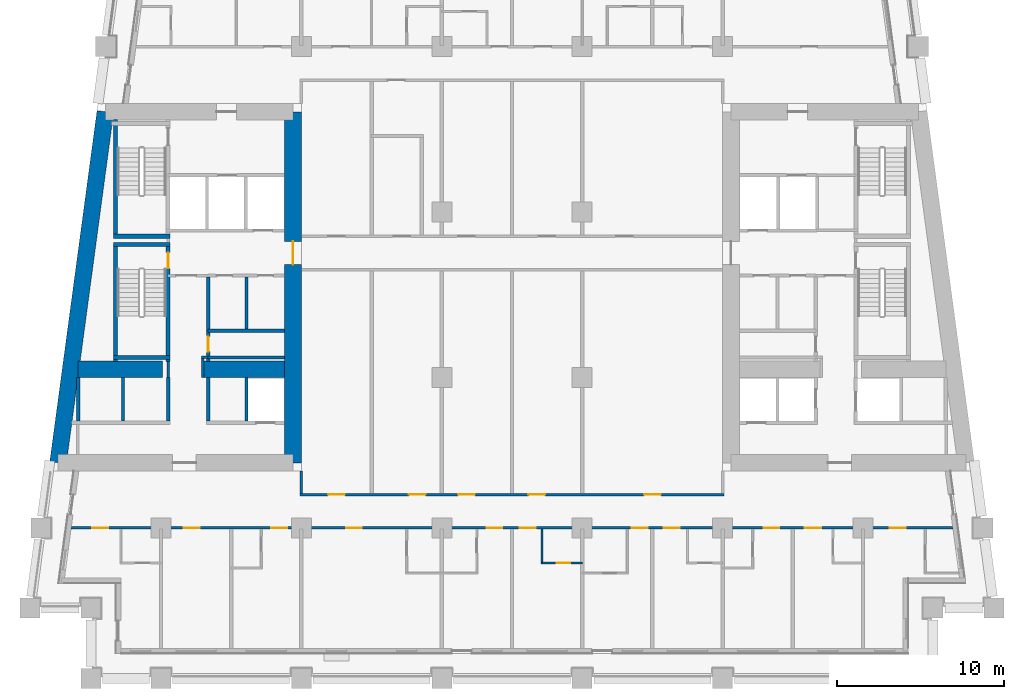
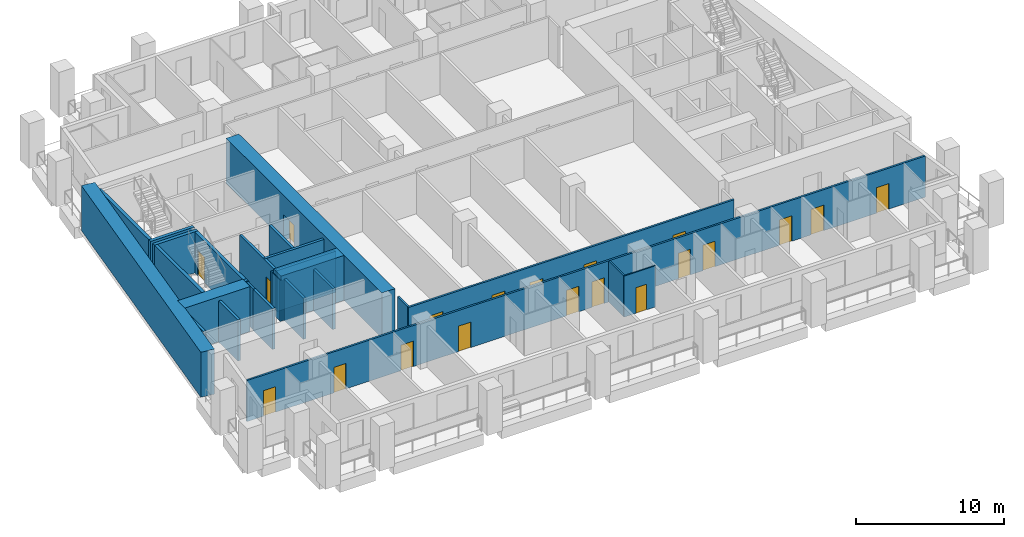
# One storey, part 3 of 13: 27 walls, 20 doors, 20 openings.
"""IFC4 building model written with IfcOpenShell, lengths in metres."""

import ifcopenshell
import ifcopenshell.guid

model = None  # the IFC model being written
_history = None  # IfcOwnerHistory: only IFC2X3 demands one
_inside = {}  # id of a spatial element -> (the spatial element, [elements in it])
_under = {}  # id of a project, library or spatial element -> (it, [spatial elements below it])
_declared = {}  # id of a project -> (the project, [libraries it declares])
_typed = {}  # id of a type object -> (the type object, [elements of that type])
_made_of = {}  # id of a material, layer set ... -> (it, [elements and type objects made of it])


def new_model(schema):
    """Start an empty IFC model of exactly this schema.

    Asked for "IFC4X3", IfcOpenShell would pick the latest addendum, in which some entities
    have other attributes; the version numbers below select the first issue.
    IFC2X3 requires an IfcOwnerHistory on every rooted entity: one is made here for all.
    """
    global model, _history
    if schema == "IFC4X3":
        model = ifcopenshell.file(schema_version=(4, 3, 0, 0))
    else:
        model = ifcopenshell.file(schema=schema)
    _inside.clear()
    _under.clear()
    _declared.clear()
    _typed.clear()
    _made_of.clear()
    _history = None
    if model.schema == "IFC2X3":
        org = make("IfcOrganization", Name="unknown")
        user = make(
            "IfcPersonAndOrganization",
            ThePerson=make("IfcPerson", FamilyName="unknown"),
            TheOrganization=org,
        )
        app = make(
            "IfcApplication",
            ApplicationDeveloper=org,
            Version="unknown",
            ApplicationFullName="unknown",
            ApplicationIdentifier="unknown",
        )
        _history = make(
            "IfcOwnerHistory",
            OwningUser=user,
            OwningApplication=app,
            ChangeAction="ADDED",
            CreationDate=0,
        )
    return model


def make(cls, **values):
    """One entity of the class cls with the attributes given. An attribute that is None is left unset."""
    return model.create_entity(
        cls, **{name: value for name, value in values.items() if value is not None}
    )


def rooted(cls, **values):
    """An entity with a GlobalId (a new one), such as an element, a storey or a relation."""
    return make(cls, GlobalId=ifcopenshell.guid.new(), OwnerHistory=_history, **values)


def si_unit(unit_type, name, prefix=None):
    """IfcSIUnit, for example si_unit("LENGTHUNIT", "METRE", prefix="MILLI")."""
    return make("IfcSIUnit", UnitType=unit_type, Prefix=prefix, Name=name)


def assignment(units):
    """IfcUnitAssignment: the units of a project."""
    return None if units is None else make("IfcUnitAssignment", Units=units)


def point(xyz):
    """IfcCartesianPoint."""
    return None if xyz is None else make("IfcCartesianPoint", Coordinates=xyz)


def direction(xyz):
    """IfcDirection."""
    return None if xyz is None else make("IfcDirection", DirectionRatios=xyz)


def frame(location, z_axis=None, x_axis=None):
    """IfcAxis2Placement3D, a coordinate frame: its origin and axes. An axis left out is left unset."""
    return make(
        "IfcAxis2Placement3D",
        Location=point(location),
        Axis=direction(z_axis),
        RefDirection=direction(x_axis),
    )


def frame_2d(location, x_axis=None):
    """IfcAxis2Placement2D, a coordinate frame in the plane: its origin and x axis."""
    return make(
        "IfcAxis2Placement2D", Location=point(location), RefDirection=direction(x_axis)
    )


def origin():
    """The frame at (0, 0, 0) with its axes left unset."""
    return frame((0.0, 0.0, 0.0))


def place(relative_to, where):
    """IfcLocalPlacement: puts the frame where relative to a parent placement (None: the world)."""
    return make(
        "IfcLocalPlacement", PlacementRelTo=relative_to, RelativePlacement=where
    )


def context(
    kind, dimensions, precision=None, world=None, true_north=None, identifier=None
):
    """IfcGeometricRepresentationContext, for example the 3D "Model" context."""
    return make(
        "IfcGeometricRepresentationContext",
        ContextIdentifier=identifier,
        ContextType=kind,
        CoordinateSpaceDimension=dimensions,
        Precision=precision,
        WorldCoordinateSystem=world,
        TrueNorth=true_north,
    )


def subcontext(parent, identifier, kind, view, scale=None):
    """IfcGeometricRepresentationSubContext, for example "Body" below "Model"."""
    return make(
        "IfcGeometricRepresentationSubContext",
        ContextIdentifier=identifier,
        ContextType=kind,
        ParentContext=parent,
        TargetScale=scale,
        TargetView=view,
    )


def project(units=None, contexts=None):
    """IfcProject with its units and contexts."""
    return rooted(
        "IfcProject",
        Name="project",
        RepresentationContexts=contexts,
        UnitsInContext=assignment(units),
    )


def spatial(cls, under=None, at=None, **own):
    """A site, building, storey or space (cls), placed at a placement, below another one or the project."""
    s = rooted(cls, ObjectPlacement=at, **own)
    if under is not None:
        _under.setdefault(under.id(), (under, []))[1].append(s)
    return s


def profile(cls, at=None, kind="AREA", **sizes):
    """A parametric profile (cls). Its sizes go by their IFC names, for example OverallWidth=200.0."""
    return make(cls, ProfileType=kind, Position=at, **sizes)


def rectangle(**sizes):
    """IfcRectangleProfileDef."""
    return profile("IfcRectangleProfileDef", **sizes)


def extrude(swept, where, along, depth):
    """IfcExtrudedAreaSolid: the profile swept, set in the frame where, extruded along a direction by depth."""
    return make(
        "IfcExtrudedAreaSolid",
        SweptArea=swept,
        Position=where,
        ExtrudedDirection=direction(along),
        Depth=depth,
    )


def shape(context_of_items, identifier, shape_type, items):
    """IfcShapeRepresentation: the items that make up one representation, for example the "Body"."""
    return make(
        "IfcShapeRepresentation",
        ContextOfItems=context_of_items,
        RepresentationIdentifier=identifier,
        RepresentationType=shape_type,
        Items=items,
    )


def material(Name=None, Category=None):
    """IfcMaterial."""
    return make("IfcMaterial", Name=Name, Category=Category)


def layer(
    of_material, thickness, ventilated=None, Name=None, Category=None, Priority=None
):
    """IfcMaterialLayer: one layer of a wall or slab, of a material (None: an air gap)."""
    return make(
        "IfcMaterialLayer",
        Material=of_material,
        LayerThickness=thickness,
        IsVentilated=ventilated,
        Name=Name,
        Category=Category,
        Priority=Priority,
    )


def layer_set(layers, Name=None):
    """IfcMaterialLayerSet."""
    return make("IfcMaterialLayerSet", MaterialLayers=layers, LayerSetName=Name)


def made_of(thing, what):
    """Note that an element or type object is made of a material, layer set ...; save() writes the relation."""
    if what is not None:
        _made_of.setdefault(what.id(), (what, []))[1].append(thing)
    return thing


def type_object(cls, material=None, **own):
    """A type object (cls), such as IfcWallType, which elements share."""
    return made_of(rooted(cls, **own), material)


def element(
    cls,
    number,
    at=None,
    inside=None,
    cuts=None,
    type_object=None,
    material=None,
    context=None,
    identifier="Body",
    shape_type=None,
    held_by="IfcProductDefinitionShape",
    body=None,
    shapes=None,
    **own,
):
    """One element of the class cls, such as IfcWall. Its Tag is "e" and its number.

    at: its placement. inside: the storey or other place that contains it. cuts: it is an
    opening in that element (IfcRelVoidsElement). A single representation is given by context,
    identifier, shape_type and body (its items); several are given by shapes. held_by: the class
    of the entity that holds the representations. save() writes the other relations.
    """
    e = rooted(cls, Tag="e%d" % number, ObjectPlacement=at, **own)
    if body is not None:
        shapes = [shape(context, identifier, shape_type, body)]
    if shapes is not None:
        e.Representation = make(held_by, Representations=shapes)
    if inside is not None:
        _inside.setdefault(inside.id(), (inside, []))[1].append(e)
    if cuts is not None:
        rooted(
            "IfcRelVoidsElement", RelatingBuildingElement=cuts, RelatedOpeningElement=e
        )
    if type_object is not None:
        _typed.setdefault(type_object.id(), (type_object, []))[1].append(e)
    return made_of(e, material)


def fill(opening, filler):
    """IfcRelFillsElement: the door or window that sits in an opening."""
    return rooted(
        "IfcRelFillsElement",
        RelatingOpeningElement=opening,
        RelatedBuildingElement=filler,
    )


def aggregate(whole, parts):
    """IfcRelAggregates: a whole, such as a stair, and the parts it consists of."""
    return rooted("IfcRelAggregates", RelatingObject=whole, RelatedObjects=parts)


def save(model, path):
    """Write the relations noted so far, then the file.

    IfcRelAggregates (storeys below a building ...), IfcRelContainedInSpatialStructure (elements
    in a storey), IfcRelDefinesByType, IfcRelAssociatesMaterial and IfcRelDeclares: one each for
    every whole, place, type object, material and project.
    """
    for whole, parts in _under.values():
        aggregate(whole, parts)
    for where, things in _inside.values():
        rooted(
            "IfcRelContainedInSpatialStructure",
            RelatedElements=things,
            RelatingStructure=where,
        )
    for kind, things in _typed.values():
        rooted("IfcRelDefinesByType", RelatedObjects=things, RelatingType=kind)
    for what, things in _made_of.values():
        rooted("IfcRelAssociatesMaterial", RelatedObjects=things, RelatingMaterial=what)
    for by, libraries in _declared.values():
        rooted("IfcRelDeclares", RelatingContext=by, RelatedDefinitions=libraries)
    model.write(path)


model = new_model("IFC4")

# Units and contexts
model_context = context("Model", 3, precision=1e-05, world=origin(), true_north=direction((0.0, 1.0)))
body_context = subcontext(model_context, "Body", "Model", "MODEL_VIEW")
ifc_project = project(units=[si_unit("LENGTHUNIT", "METRE"), si_unit("AREAUNIT", "SQUARE_METRE"), si_unit("VOLUMEUNIT", "CUBIC_METRE"), si_unit("PLANEANGLEUNIT", "RADIAN"), si_unit("MASSUNIT", "GRAM", prefix="KILO")], contexts=[model_context])

# Site, building, storey
site_placement = place(None, origin())
site = spatial("IfcSite", under=ifc_project, at=site_placement, CompositionType="ELEMENT")
building_placement = place(site_placement, origin())
building = spatial("IfcBuilding", under=site, at=building_placement, Name="Candeia Pilgrim Tower and Theatre", CompositionType="ELEMENT")
storey_placement = place(building_placement, frame((0.0, 0.0, 91.0)))
storey = spatial("IfcBuildingStorey", under=building, at=storey_placement, Name="L20", CompositionType="ELEMENT", Elevation=91.0)

# Wall, opening, door
ifc_material_1 = material(Name="Concrete C70/85", Category="concrete")
ifc_layer_1 = layer(ifc_material_1, 1.0)
ifc_layer_set_1 = layer_set([ifc_layer_1], Name="Core wall 1000 C70/85")
wall_type_1 = type_object("IfcWallType", Name="Core wall 1000 C70/85", PredefinedType="SHEAR", material=ifc_layer_set_1)
wall_1_placement = place(storey_placement, frame((100.300048828125, 131.89990234375, 0.0), z_axis=(0.0, 0.0, 1.0), x_axis=(0.0, -1.0, 0.0)))
wall_1 = element("IfcWall", 1, at=wall_1_placement, inside=storey, type_object=wall_type_1, Name="Core wall W2", PredefinedType="SHEAR", context=body_context, shape_type="SweptSolid", body=[
    extrude(rectangle(XDim=21.0, YDim=1.0, at=frame_2d((10.5, 0.0))), origin(), (0.0, 0.0, 1.0), 3.699951171875),
])
opening_1_placement = place(wall_1_placement, frame((7.75, 0.0, 0.0)))
opening_1 = element("IfcOpeningElement", 2, at=opening_1_placement, cuts=wall_1, Name="Opening L20-D061", PredefinedType="OPENING", context=body_context, shape_type="SweptSolid", body=[
    extrude(rectangle(XDim=1.39990234375, YDim=2.10009765625, at=frame_2d((0.699951171875, 1.050048828125))), frame((0.0, 0.510009765625, 0.0), z_axis=(0.0, -1.0, 0.0), x_axis=(1.0, 0.0, 0.0)), (0.0, 0.0, 1.0), 1.02001953125),
])
ifc_material_2 = material(Name="Steel fire door set", Category="steel")
door_type_1 = type_object("IfcDoorType", Name="D-1400-FD60", OperationType="NOTDEFINED", PredefinedType="DOOR", material=ifc_material_2)
door_1_placement = place(opening_1_placement, origin())
door_1 = element("IfcDoor", 3, at=door_1_placement, inside=storey, type_object=door_type_1, Name="Door L20-D061", OperationType="SINGLE_SWING_LEFT", OverallHeight=2.10009765625, OverallWidth=1.39990234375, PredefinedType="DOOR", context=body_context, shape_type="SweptSolid", body=[
    extrude(rectangle(XDim=1.39990234375, YDim=2.10009765625, at=frame_2d((0.699951171875, 1.050048828125))), frame((0.0, 0.02490234375, 0.0), z_axis=(0.0, -1.0, 0.0), x_axis=(1.0, 0.0, 0.0)), (0.0, 0.0, 1.0), 0.050048828125),
])
fill(opening_1, door_1)

# Walls
wall_2_placement = place(storey_placement, frame((86.240966796875, 110.89990234375, 0.0), z_axis=(0.0, 0.0, 1.0), x_axis=(0.133411141623, 0.991060778808, 0.0)))
element("IfcWall", 4, at=wall_2_placement, inside=storey, type_object=wall_type_1, Name="Core wall W4", PredefinedType="SHEAR", context=body_context, shape_type="SweptSolid", body=[
    extrude(rectangle(XDim=21.189453125, YDim=1.0, at=frame_2d((10.5947265625, 0.0))), origin(), (0.0, 0.0, 1.0), 3.699951171875),
])
wall_3_placement = place(storey_placement, frame((87.423095703125, 116.5, 0.0), z_axis=(0.0, 0.0, 1.0), x_axis=(1.0, 0.0, 0.0)))
element("IfcWall", 5, at=wall_3_placement, inside=storey, type_object=wall_type_1, Name="Core wall W5", PredefinedType="SHEAR", context=body_context, shape_type="SweptSolid", body=[
    extrude(rectangle(XDim=5.076904296875, YDim=1.0, at=frame_2d((2.53857421875, 0.0))), origin(), (0.0, 0.0, 1.0), 3.699951171875),
])
wall_4_placement = place(storey_placement, frame((94.89990234375, 116.5, 0.0), z_axis=(0.0, 0.0, 1.0), x_axis=(1.0, 0.0, 0.0)))
element("IfcWall", 6, at=wall_4_placement, inside=storey, type_object=wall_type_1, Name="Core wall W6", PredefinedType="SHEAR", context=body_context, shape_type="SweptSolid", body=[
    extrude(rectangle(XDim=4.900146484375, YDim=1.0, at=frame_2d((2.4501953125, 0.0))), origin(), (0.0, 0.0, 1.0), 3.699951171875),
])

# Wall, opening, door
ifc_material_3 = material(Name="Gypsum board partition on steel studs", Category="steel")
ifc_layer_2 = layer(ifc_material_3, 0.10009765625)
ifc_layer_set_2 = layer_set([ifc_layer_2], Name="PW-100 room partition")
wall_type_2 = type_object("IfcWallType", Name="PW-100 room partition", PredefinedType="PARTITIONING", material=ifc_layer_set_2)
wall_5_placement = place(storey_placement, frame((115.14990234375, 104.89990234375, 0.0), z_axis=(0.0, 0.0, 1.0), x_axis=(1.0, 0.0, 0.0)))
wall_5 = element("IfcWall", 7, at=wall_5_placement, inside=storey, type_object=wall_type_2, Name="Room partition L20-007", PredefinedType="PARTITIONING", context=body_context, shape_type="SweptSolid", body=[
    extrude(rectangle(XDim=2.4501953125, YDim=0.10009765625, at=frame_2d((1.22509765625, 0.0))), origin(), (0.0, 0.0, 1.0), 3.3798828125),
])
opening_2_placement = place(wall_5_placement, frame((0.93994140625, 0.0, 0.0)))
opening_2 = element("IfcOpeningElement", 8, at=opening_2_placement, cuts=wall_5, Name="Opening L20-D023", PredefinedType="OPENING", context=body_context, shape_type="SweptSolid", body=[
    extrude(rectangle(XDim=0.800048828125, YDim=2.10009765625, at=frame_2d((0.39990234375, 1.050048828125))), frame((0.0, 0.06005859375, 0.0), z_axis=(0.0, -1.0, 0.0), x_axis=(1.0, 0.0, 0.0)), (0.0, 0.0, 1.0), 0.1201171875),
])
ifc_material_4 = material(Name="Timber door leaf", Category="wood")
door_type_2 = type_object("IfcDoorType", Name="D-800", OperationType="NOTDEFINED", PredefinedType="DOOR", material=ifc_material_4)
door_2_placement = place(opening_2_placement, origin())
door_2 = element("IfcDoor", 9, at=door_2_placement, inside=storey, type_object=door_type_2, Name="Door L20-D023", OperationType="SINGLE_SWING_LEFT", OverallHeight=2.10009765625, OverallWidth=0.800048828125, PredefinedType="DOOR", context=body_context, shape_type="SweptSolid", body=[
    extrude(rectangle(XDim=0.800048828125, YDim=2.10009765625, at=frame_2d((0.39990234375, 1.050048828125))), frame((0.0, 0.02490234375, 0.0), z_axis=(0.0, -1.0, 0.0), x_axis=(1.0, 0.0, 0.0)), (0.0, 0.0, 1.0), 0.050048828125),
])
fill(opening_2, door_2)

# Walls
wall_6_placement = place(storey_placement, frame((115.199951171875, 104.949951171875, 0.0), z_axis=(0.0, 0.0, 1.0), x_axis=(0.0, 1.0, 0.0)))
element("IfcWall", 10, at=wall_6_placement, inside=storey, type_object=wall_type_2, Name="Room partition L20-092", PredefinedType="PARTITIONING", context=body_context, shape_type="SweptSolid", body=[
    extrude(rectangle(XDim=1.97509765625, YDim=0.10009765625, at=frame_2d((0.987548828125, 0.0))), origin(), (0.0, 0.0, 1.0), 3.3798828125),
])
ifc_layer_3 = layer(ifc_material_3, 0.14990234375)
ifc_layer_set_3 = layer_set([ifc_layer_3], Name="PW-150 lobby wall")
wall_type_3 = type_object("IfcWallType", Name="PW-150 lobby wall", PredefinedType="PARTITIONING", material=ifc_layer_set_3)
wall_7_placement = place(storey_placement, frame((94.824951171875, 117.199951171875, 0.0), z_axis=(0.0, 0.0, 1.0), x_axis=(1.0, 0.0, 0.0)))
element("IfcWall", 11, at=wall_7_placement, inside=storey, type_object=wall_type_3, Name="Lobby wall L20-018", PredefinedType="PARTITIONING", context=body_context, shape_type="SweptSolid", body=[
    extrude(rectangle(XDim=0.402099609375, YDim=0.14990234375, at=frame_2d((0.201171875, 0.0))), origin(), (0.0, 0.0, 1.0), 3.3798828125),
])
wall_8_placement = place(storey_placement, frame((92.826904296875, 116.0, 0.0), z_axis=(0.0, 0.0, 1.0), x_axis=(0.0, 1.0, 0.0)))
element("IfcWall", 12, at=wall_8_placement, inside=storey, type_object=wall_type_3, Name="Lobby wall L20-057", PredefinedType="PARTITIONING", context=body_context, shape_type="SweptSolid", body=[
    extrude(rectangle(XDim=0.969970703125, YDim=0.14990234375, at=frame_2d((0.48486328125, 0.0))), origin(), (0.0, 0.0, 1.0), 3.3798828125),
])
wall_9_placement = place(storey_placement, frame((94.89990234375, 116.0, 0.0), z_axis=(0.0, 0.0, 1.0), x_axis=(0.0, 1.0, 0.0)))
element("IfcWall", 13, at=wall_9_placement, inside=storey, type_object=wall_type_3, Name="Lobby wall L20-062", PredefinedType="PARTITIONING", context=body_context, shape_type="SweptSolid", body=[
    extrude(rectangle(XDim=1.125, YDim=0.14990234375, at=frame_2d((0.5625, 0.0))), origin(), (0.0, 0.0, 1.0), 3.3798828125),
])

# Wall, openings, doors
ifc_layer_4 = layer(ifc_material_3, 0.14990234375)
ifc_layer_set_4 = layer_set([ifc_layer_4], Name="PW-150 unit wall")
wall_type_4 = type_object("IfcWallType", Name="PW-150 unit wall", PredefinedType="PARTITIONING", material=ifc_layer_set_4)
wall_10_placement = place(storey_placement, frame((87.017578125, 107.0, 0.0), z_axis=(0.0, 0.0, 1.0), x_axis=(1.0, 0.0, 0.0)))
wall_10 = element("IfcWall", 14, at=wall_10_placement, inside=storey, type_object=wall_type_4, Name="Unit wall L20-010", PredefinedType="PARTITIONING", context=body_context, shape_type="SweptSolid", body=[
    extrude(rectangle(XDim=52.7646484375, YDim=0.14990234375, at=frame_2d((26.38232421875, 0.0))), origin(), (0.0, 0.0, 1.0), 3.3798828125),
])
opening_3_placement = place(wall_10_placement, frame((1.2763671875, 0.0, 0.0)))
opening_3 = element("IfcOpeningElement", 15, at=opening_3_placement, cuts=wall_10, Name="Opening L20-D013", PredefinedType="OPENING", context=body_context, shape_type="SweptSolid", body=[
    extrude(rectangle(XDim=0.949951171875, YDim=2.10009765625, at=frame_2d((0.47509765625, 1.050048828125))), frame((0.0, 0.0849609375, 0.0), z_axis=(0.0, -1.0, 0.0), x_axis=(1.0, 0.0, 0.0)), (0.0, 0.0, 1.0), 0.169921875),
])
opening_4_placement = place(wall_10_placement, frame((6.752197265625, 0.0, 0.0)))
opening_4 = element("IfcOpeningElement", 16, at=opening_4_placement, cuts=wall_10, Name="Opening L20-D015", PredefinedType="OPENING", context=body_context, shape_type="SweptSolid", body=[
    extrude(rectangle(XDim=0.949951171875, YDim=2.10009765625, at=frame_2d((0.47509765625, 1.050048828125))), frame((0.0, 0.0849609375, 0.0), z_axis=(0.0, -1.0, 0.0), x_axis=(1.0, 0.0, 0.0)), (0.0, 0.0, 1.0), 0.169921875),
])
opening_5_placement = place(wall_10_placement, frame((11.982421875, 0.0, 0.0)))
opening_5 = element("IfcOpeningElement", 17, at=opening_5_placement, cuts=wall_10, Name="Opening L20-D016", PredefinedType="OPENING", context=body_context, shape_type="SweptSolid", body=[
    extrude(rectangle(XDim=0.949951171875, YDim=2.10009765625, at=frame_2d((0.47509765625, 1.050048828125))), frame((0.0, 0.0849609375, 0.0), z_axis=(0.0, -1.0, 0.0), x_axis=(1.0, 0.0, 0.0)), (0.0, 0.0, 1.0), 0.169921875),
])
opening_6_placement = place(wall_10_placement, frame((16.457275390625, 0.0, 0.0)))
opening_6 = element("IfcOpeningElement", 18, at=opening_6_placement, cuts=wall_10, Name="Opening L20-D018", PredefinedType="OPENING", context=body_context, shape_type="SweptSolid", body=[
    extrude(rectangle(XDim=0.949951171875, YDim=2.10009765625, at=frame_2d((0.47509765625, 1.050048828125))), frame((0.0, 0.0849609375, 0.0), z_axis=(0.0, -1.0, 0.0), x_axis=(1.0, 0.0, 0.0)), (0.0, 0.0, 1.0), 0.169921875),
])
opening_7_placement = place(wall_10_placement, frame((24.857421875, 0.0, 0.0)))
opening_7 = element("IfcOpeningElement", 19, at=opening_7_placement, cuts=wall_10, Name="Opening L20-D020", PredefinedType="OPENING", context=body_context, shape_type="SweptSolid", body=[
    extrude(rectangle(XDim=0.949951171875, YDim=2.10009765625, at=frame_2d((0.47509765625, 1.050048828125))), frame((0.0, 0.0849609375, 0.0), z_axis=(0.0, -1.0, 0.0), x_axis=(1.0, 0.0, 0.0)), (0.0, 0.0, 1.0), 0.169921875),
])
opening_8_placement = place(wall_10_placement, frame((26.84521484375, 0.0, 0.0)))
opening_8 = element("IfcOpeningElement", 20, at=opening_8_placement, cuts=wall_10, Name="Opening L20-D022", PredefinedType="OPENING", context=body_context, shape_type="SweptSolid", body=[
    extrude(rectangle(XDim=0.949951171875, YDim=2.10009765625, at=frame_2d((0.47509765625, 1.050048828125))), frame((0.0, 0.0849609375, 0.0), z_axis=(0.0, -1.0, 0.0), x_axis=(1.0, 0.0, 0.0)), (0.0, 0.0, 1.0), 0.169921875),
])
opening_9_placement = place(wall_10_placement, frame((33.557373046875, 0.0, 0.0)))
opening_9 = element("IfcOpeningElement", 21, at=opening_9_placement, cuts=wall_10, Name="Opening L20-D024", PredefinedType="OPENING", context=body_context, shape_type="SweptSolid", body=[
    extrude(rectangle(XDim=0.949951171875, YDim=2.10009765625, at=frame_2d((0.47509765625, 1.050048828125))), frame((0.0, 0.0849609375, 0.0), z_axis=(0.0, -1.0, 0.0), x_axis=(1.0, 0.0, 0.0)), (0.0, 0.0, 1.0), 0.169921875),
])
opening_10_placement = place(wall_10_placement, frame((35.47021484375, 0.0, 0.0)))
opening_10 = element("IfcOpeningElement", 22, at=opening_10_placement, cuts=wall_10, Name="Opening L20-D026", PredefinedType="OPENING", context=body_context, shape_type="SweptSolid", body=[
    extrude(rectangle(XDim=0.949951171875, YDim=2.10009765625, at=frame_2d((0.47509765625, 1.050048828125))), frame((0.0, 0.0849609375, 0.0), z_axis=(0.0, -1.0, 0.0), x_axis=(1.0, 0.0, 0.0)), (0.0, 0.0, 1.0), 0.169921875),
])
opening_11_placement = place(wall_10_placement, frame((41.432373046875, 0.0, 0.0)))
opening_11 = element("IfcOpeningElement", 23, at=opening_11_placement, cuts=wall_10, Name="Opening L20-D028", PredefinedType="OPENING", context=body_context, shape_type="SweptSolid", body=[
    extrude(rectangle(XDim=0.949951171875, YDim=2.10009765625, at=frame_2d((0.47509765625, 1.050048828125))), frame((0.0, 0.0849609375, 0.0), z_axis=(0.0, -1.0, 0.0), x_axis=(1.0, 0.0, 0.0)), (0.0, 0.0, 1.0), 0.169921875),
])
opening_12_placement = place(wall_10_placement, frame((43.88232421875, 0.0, 0.0)))
opening_12 = element("IfcOpeningElement", 24, at=opening_12_placement, cuts=wall_10, Name="Opening L20-D030", PredefinedType="OPENING", context=body_context, shape_type="SweptSolid", body=[
    extrude(rectangle(XDim=1.0, YDim=2.10009765625, at=frame_2d((0.5, 1.050048828125))), frame((0.0, 0.0849609375, 0.0), z_axis=(0.0, -1.0, 0.0), x_axis=(1.0, 0.0, 0.0)), (0.0, 0.0, 1.0), 0.169921875),
])
opening_13_placement = place(wall_10_placement, frame((48.974365234375, 0.0, 0.0)))
opening_13 = element("IfcOpeningElement", 25, at=opening_13_placement, cuts=wall_10, Name="Opening L20-D032", PredefinedType="OPENING", context=body_context, shape_type="SweptSolid", body=[
    extrude(rectangle(XDim=0.949951171875, YDim=2.10009765625, at=frame_2d((0.47509765625, 1.050048828125))), frame((0.0, 0.0849609375, 0.0), z_axis=(0.0, -1.0, 0.0), x_axis=(1.0, 0.0, 0.0)), (0.0, 0.0, 1.0), 0.169921875),
])
door_type_3 = type_object("IfcDoorType", Name="D-1000-FD30S", OperationType="NOTDEFINED", PredefinedType="DOOR", material=ifc_material_2)
door_3_placement = place(opening_12_placement, origin())
door_3 = element("IfcDoor", 26, at=door_3_placement, inside=storey, type_object=door_type_3, Name="Door L20-D030", OperationType="SINGLE_SWING_RIGHT", OverallHeight=2.10009765625, OverallWidth=1.0, PredefinedType="DOOR", context=body_context, shape_type="SweptSolid", body=[
    extrude(rectangle(XDim=1.0, YDim=2.10009765625, at=frame_2d((0.5, 1.050048828125))), frame((0.0, 0.02490234375, 0.0), z_axis=(0.0, -1.0, 0.0), x_axis=(1.0, 0.0, 0.0)), (0.0, 0.0, 1.0), 0.050048828125),
])
fill(opening_12, door_3)
door_type_4 = type_object("IfcDoorType", Name="D-950-FD30S", OperationType="NOTDEFINED", PredefinedType="DOOR", material=ifc_material_2)
door_4_placement = place(opening_3_placement, origin())
door_4 = element("IfcDoor", 27, at=door_4_placement, inside=storey, type_object=door_type_4, Name="Door L20-D013", OperationType="SINGLE_SWING_LEFT", OverallHeight=2.10009765625, OverallWidth=0.949951171875, PredefinedType="DOOR", context=body_context, shape_type="SweptSolid", body=[
    extrude(rectangle(XDim=0.949951171875, YDim=2.10009765625, at=frame_2d((0.47509765625, 1.050048828125))), frame((0.0, 0.02490234375, 0.0), z_axis=(0.0, -1.0, 0.0), x_axis=(1.0, 0.0, 0.0)), (0.0, 0.0, 1.0), 0.050048828125),
])
fill(opening_3, door_4)
door_5_placement = place(opening_4_placement, origin())
door_5 = element("IfcDoor", 28, at=door_5_placement, inside=storey, type_object=door_type_4, Name="Door L20-D015", OperationType="SINGLE_SWING_LEFT", OverallHeight=2.10009765625, OverallWidth=0.949951171875, PredefinedType="DOOR", context=body_context, shape_type="SweptSolid", body=[
    extrude(rectangle(XDim=0.949951171875, YDim=2.10009765625, at=frame_2d((0.47509765625, 1.050048828125))), frame((0.0, 0.02490234375, 0.0), z_axis=(0.0, -1.0, 0.0), x_axis=(1.0, 0.0, 0.0)), (0.0, 0.0, 1.0), 0.050048828125),
])
fill(opening_4, door_5)
door_6_placement = place(opening_5_placement, origin())
door_6 = element("IfcDoor", 29, at=door_6_placement, inside=storey, type_object=door_type_4, Name="Door L20-D016", OperationType="SINGLE_SWING_RIGHT", OverallHeight=2.10009765625, OverallWidth=0.949951171875, PredefinedType="DOOR", context=body_context, shape_type="SweptSolid", body=[
    extrude(rectangle(XDim=0.949951171875, YDim=2.10009765625, at=frame_2d((0.47509765625, 1.050048828125))), frame((0.0, 0.02490234375, 0.0), z_axis=(0.0, -1.0, 0.0), x_axis=(1.0, 0.0, 0.0)), (0.0, 0.0, 1.0), 0.050048828125),
])
fill(opening_5, door_6)
door_7_placement = place(opening_6_placement, origin())
door_7 = element("IfcDoor", 30, at=door_7_placement, inside=storey, type_object=door_type_4, Name="Door L20-D018", OperationType="SINGLE_SWING_RIGHT", OverallHeight=2.10009765625, OverallWidth=0.949951171875, PredefinedType="DOOR", context=body_context, shape_type="SweptSolid", body=[
    extrude(rectangle(XDim=0.949951171875, YDim=2.10009765625, at=frame_2d((0.47509765625, 1.050048828125))), frame((0.0, 0.02490234375, 0.0), z_axis=(0.0, -1.0, 0.0), x_axis=(1.0, 0.0, 0.0)), (0.0, 0.0, 1.0), 0.050048828125),
])
fill(opening_6, door_7)
door_8_placement = place(opening_7_placement, origin())
door_8 = element("IfcDoor", 31, at=door_8_placement, inside=storey, type_object=door_type_4, Name="Door L20-D020", OperationType="SINGLE_SWING_RIGHT", OverallHeight=2.10009765625, OverallWidth=0.949951171875, PredefinedType="DOOR", context=body_context, shape_type="SweptSolid", body=[
    extrude(rectangle(XDim=0.949951171875, YDim=2.10009765625, at=frame_2d((0.47509765625, 1.050048828125))), frame((0.0, 0.02490234375, 0.0), z_axis=(0.0, -1.0, 0.0), x_axis=(1.0, 0.0, 0.0)), (0.0, 0.0, 1.0), 0.050048828125),
])
fill(opening_7, door_8)
door_9_placement = place(opening_8_placement, origin())
door_9 = element("IfcDoor", 32, at=door_9_placement, inside=storey, type_object=door_type_4, Name="Door L20-D022", OperationType="SINGLE_SWING_RIGHT", OverallHeight=2.10009765625, OverallWidth=0.949951171875, PredefinedType="DOOR", context=body_context, shape_type="SweptSolid", body=[
    extrude(rectangle(XDim=0.949951171875, YDim=2.10009765625, at=frame_2d((0.47509765625, 1.050048828125))), frame((0.0, 0.02490234375, 0.0), z_axis=(0.0, -1.0, 0.0), x_axis=(1.0, 0.0, 0.0)), (0.0, 0.0, 1.0), 0.050048828125),
])
fill(opening_8, door_9)
door_10_placement = place(opening_9_placement, origin())
door_10 = element("IfcDoor", 33, at=door_10_placement, inside=storey, type_object=door_type_4, Name="Door L20-D024", OperationType="SINGLE_SWING_RIGHT", OverallHeight=2.10009765625, OverallWidth=0.949951171875, PredefinedType="DOOR", context=body_context, shape_type="SweptSolid", body=[
    extrude(rectangle(XDim=0.949951171875, YDim=2.10009765625, at=frame_2d((0.47509765625, 1.050048828125))), frame((0.0, 0.02490234375, 0.0), z_axis=(0.0, -1.0, 0.0), x_axis=(1.0, 0.0, 0.0)), (0.0, 0.0, 1.0), 0.050048828125),
])
fill(opening_9, door_10)
door_11_placement = place(opening_10_placement, origin())
door_11 = element("IfcDoor", 34, at=door_11_placement, inside=storey, type_object=door_type_4, Name="Door L20-D026", OperationType="SINGLE_SWING_RIGHT", OverallHeight=2.10009765625, OverallWidth=0.949951171875, PredefinedType="DOOR", context=body_context, shape_type="SweptSolid", body=[
    extrude(rectangle(XDim=0.949951171875, YDim=2.10009765625, at=frame_2d((0.47509765625, 1.050048828125))), frame((0.0, 0.02490234375, 0.0), z_axis=(0.0, -1.0, 0.0), x_axis=(1.0, 0.0, 0.0)), (0.0, 0.0, 1.0), 0.050048828125),
])
fill(opening_10, door_11)
door_12_placement = place(opening_11_placement, origin())
door_12 = element("IfcDoor", 35, at=door_12_placement, inside=storey, type_object=door_type_4, Name="Door L20-D028", OperationType="SINGLE_SWING_RIGHT", OverallHeight=2.10009765625, OverallWidth=0.949951171875, PredefinedType="DOOR", context=body_context, shape_type="SweptSolid", body=[
    extrude(rectangle(XDim=0.949951171875, YDim=2.10009765625, at=frame_2d((0.47509765625, 1.050048828125))), frame((0.0, 0.02490234375, 0.0), z_axis=(0.0, -1.0, 0.0), x_axis=(1.0, 0.0, 0.0)), (0.0, 0.0, 1.0), 0.050048828125),
])
fill(opening_11, door_12)
door_13_placement = place(opening_13_placement, origin())
door_13 = element("IfcDoor", 36, at=door_13_placement, inside=storey, type_object=door_type_4, Name="Door L20-D032", OperationType="SINGLE_SWING_RIGHT", OverallHeight=2.10009765625, OverallWidth=0.949951171875, PredefinedType="DOOR", context=body_context, shape_type="SweptSolid", body=[
    extrude(rectangle(XDim=0.949951171875, YDim=2.10009765625, at=frame_2d((0.47509765625, 1.050048828125))), frame((0.0, 0.02490234375, 0.0), z_axis=(0.0, -1.0, 0.0), x_axis=(1.0, 0.0, 0.0)), (0.0, 0.0, 1.0), 0.050048828125),
])
fill(opening_13, door_13)

wall_11_placement = place(storey_placement, frame((100.72509765625, 109.0, 0.0), z_axis=(0.0, 0.0, 1.0), x_axis=(1.0, 0.0, 0.0)))
wall_11 = element("IfcWall", 37, at=wall_11_placement, inside=storey, type_object=wall_type_4, Name="Unit wall L20-011", PredefinedType="PARTITIONING", context=body_context, shape_type="SweptSolid", body=[
    extrude(rectangle(XDim=25.349853515625, YDim=0.14990234375, at=frame_2d((12.6748046875, 0.0))), origin(), (0.0, 0.0, 1.0), 3.3798828125),
])
opening_14_placement = place(wall_11_placement, frame((1.675048828125, 0.0, 0.0)))
opening_14 = element("IfcOpeningElement", 38, at=opening_14_placement, cuts=wall_11, Name="Opening L20-D049", PredefinedType="OPENING", context=body_context, shape_type="SweptSolid", body=[
    extrude(rectangle(XDim=1.0, YDim=2.10009765625, at=frame_2d((0.5, 1.050048828125))), frame((0.0, 0.0849609375, 0.0), z_axis=(0.0, -1.0, 0.0), x_axis=(1.0, 0.0, 0.0)), (0.0, 0.0, 1.0), 0.169921875),
])
opening_15_placement = place(wall_11_placement, frame((6.5, 0.0, 0.0)))
opening_15 = element("IfcOpeningElement", 39, at=opening_15_placement, cuts=wall_11, Name="Opening L20-D050", PredefinedType="OPENING", context=body_context, shape_type="SweptSolid", body=[
    extrude(rectangle(XDim=1.0, YDim=2.10009765625, at=frame_2d((0.5, 1.050048828125))), frame((0.0, 0.0849609375, 0.0), z_axis=(0.0, -1.0, 0.0), x_axis=(1.0, 0.0, 0.0)), (0.0, 0.0, 1.0), 0.169921875),
])
opening_16_placement = place(wall_11_placement, frame((9.449951171875, 0.0, 0.0)))
opening_16 = element("IfcOpeningElement", 40, at=opening_16_placement, cuts=wall_11, Name="Opening L20-D051", PredefinedType="OPENING", context=body_context, shape_type="SweptSolid", body=[
    extrude(rectangle(XDim=1.0, YDim=2.10009765625, at=frame_2d((0.5, 1.050048828125))), frame((0.0, 0.0849609375, 0.0), z_axis=(0.0, -1.0, 0.0), x_axis=(1.0, 0.0, 0.0)), (0.0, 0.0, 1.0), 0.169921875),
])
opening_17_placement = place(wall_11_placement, frame((13.64990234375, 0.0, 0.0)))
opening_17 = element("IfcOpeningElement", 41, at=opening_17_placement, cuts=wall_11, Name="Opening L20-D052", PredefinedType="OPENING", context=body_context, shape_type="SweptSolid", body=[
    extrude(rectangle(XDim=1.0, YDim=2.10009765625, at=frame_2d((0.5, 1.050048828125))), frame((0.0, 0.0849609375, 0.0), z_axis=(0.0, -1.0, 0.0), x_axis=(1.0, 0.0, 0.0)), (0.0, 0.0, 1.0), 0.169921875),
])
opening_18_placement = place(wall_11_placement, frame((20.574951171875, 0.0, 0.0)))
opening_18 = element("IfcOpeningElement", 42, at=opening_18_placement, cuts=wall_11, Name="Opening L20-D053", PredefinedType="OPENING", context=body_context, shape_type="SweptSolid", body=[
    extrude(rectangle(XDim=1.0, YDim=2.10009765625, at=frame_2d((0.5, 1.050048828125))), frame((0.0, 0.0849609375, 0.0), z_axis=(0.0, -1.0, 0.0), x_axis=(1.0, 0.0, 0.0)), (0.0, 0.0, 1.0), 0.169921875),
])
door_14_placement = place(opening_14_placement, origin())
door_14 = element("IfcDoor", 43, at=door_14_placement, inside=storey, type_object=door_type_3, Name="Door L20-D049", OperationType="SINGLE_SWING_LEFT", OverallHeight=2.10009765625, OverallWidth=1.0, PredefinedType="DOOR", context=body_context, shape_type="SweptSolid", body=[
    extrude(rectangle(XDim=1.0, YDim=2.10009765625, at=frame_2d((0.5, 1.050048828125))), frame((0.0, 0.02490234375, 0.0), z_axis=(0.0, -1.0, 0.0), x_axis=(1.0, 0.0, 0.0)), (0.0, 0.0, 1.0), 0.050048828125),
])
fill(opening_14, door_14)
door_15_placement = place(opening_15_placement, origin())
door_15 = element("IfcDoor", 44, at=door_15_placement, inside=storey, type_object=door_type_3, Name="Door L20-D050", OperationType="SINGLE_SWING_RIGHT", OverallHeight=2.10009765625, OverallWidth=1.0, PredefinedType="DOOR", context=body_context, shape_type="SweptSolid", body=[
    extrude(rectangle(XDim=1.0, YDim=2.10009765625, at=frame_2d((0.5, 1.050048828125))), frame((0.0, 0.02490234375, 0.0), z_axis=(0.0, -1.0, 0.0), x_axis=(1.0, 0.0, 0.0)), (0.0, 0.0, 1.0), 0.050048828125),
])
fill(opening_15, door_15)
door_16_placement = place(opening_16_placement, origin())
door_16 = element("IfcDoor", 45, at=door_16_placement, inside=storey, type_object=door_type_3, Name="Door L20-D051", OperationType="SINGLE_SWING_LEFT", OverallHeight=2.10009765625, OverallWidth=1.0, PredefinedType="DOOR", context=body_context, shape_type="SweptSolid", body=[
    extrude(rectangle(XDim=1.0, YDim=2.10009765625, at=frame_2d((0.5, 1.050048828125))), frame((0.0, 0.02490234375, 0.0), z_axis=(0.0, -1.0, 0.0), x_axis=(1.0, 0.0, 0.0)), (0.0, 0.0, 1.0), 0.050048828125),
])
fill(opening_16, door_16)
door_17_placement = place(opening_17_placement, origin())
door_17 = element("IfcDoor", 46, at=door_17_placement, inside=storey, type_object=door_type_3, Name="Door L20-D052", OperationType="SINGLE_SWING_RIGHT", OverallHeight=2.10009765625, OverallWidth=1.0, PredefinedType="DOOR", context=body_context, shape_type="SweptSolid", body=[
    extrude(rectangle(XDim=1.0, YDim=2.10009765625, at=frame_2d((0.5, 1.050048828125))), frame((0.0, 0.02490234375, 0.0), z_axis=(0.0, -1.0, 0.0), x_axis=(1.0, 0.0, 0.0)), (0.0, 0.0, 1.0), 0.050048828125),
])
fill(opening_17, door_17)
door_18_placement = place(opening_18_placement, origin())
door_18 = element("IfcDoor", 47, at=door_18_placement, inside=storey, type_object=door_type_3, Name="Door L20-D053", OperationType="SINGLE_SWING_LEFT", OverallHeight=2.10009765625, OverallWidth=1.0, PredefinedType="DOOR", context=body_context, shape_type="SweptSolid", body=[
    extrude(rectangle(XDim=1.0, YDim=2.10009765625, at=frame_2d((0.5, 1.050048828125))), frame((0.0, 0.02490234375, 0.0), z_axis=(0.0, -1.0, 0.0), x_axis=(1.0, 0.0, 0.0)), (0.0, 0.0, 1.0), 0.050048828125),
])
fill(opening_18, door_18)

# Walls
wall_12_placement = place(storey_placement, frame((100.800048828125, 109.074951171875, 0.0), z_axis=(0.0, 0.0, 1.0), x_axis=(0.0, 1.0, 0.0)))
element("IfcWall", 48, at=wall_12_placement, inside=storey, type_object=wall_type_4, Name="Unit wall L20-074", PredefinedType="PARTITIONING", context=body_context, shape_type="SweptSolid", body=[
    extrude(rectangle(XDim=1.324951171875, YDim=0.14990234375, at=frame_2d((0.66259765625, 0.0))), origin(), (0.0, 0.0, 1.0), 3.3798828125),
])
ifc_material_5 = material(Name="Concrete C40/50", Category="concrete")
ifc_layer_5 = layer(ifc_material_5, 0.199951171875)
ifc_layer_set_5 = layer_set([ifc_layer_5], Name="SW-200 shaft wall")
wall_type_5 = type_object("IfcWallType", Name="SW-200 shaft wall", PredefinedType="PARTITIONING", material=ifc_layer_set_5)
for number, where, z_axis, x_axis, name in (
    (49, (95.22705078125, 117.199951171875, 0.0), (0.0, 0.0, 1.0), (1.0, 0.0, 0.0), "Shaft wall L20-016"),
    (50, (95.22705078125, 118.800048828125, 0.0), (0.0, 0.0, 1.0), (1.0, 0.0, 0.0), "Shaft wall L20-022"),
):
    element("IfcWall", number, at=place(storey_placement, frame(where, z_axis=z_axis, x_axis=x_axis)), inside=storey, type_object=wall_type_5, Name=name, PredefinedType="PARTITIONING", context=body_context, shape_type="SweptSolid", body=[
        extrude(rectangle(XDim=4.572998046875, YDim=0.199951171875, at=frame_2d((2.28662109375, 0.0))), origin(), (0.0, 0.0, 1.0), 3.3798828125),
    ])
for number, where, z_axis, x_axis, name in (
    (51, (87.451171875, 113.39990234375, 0.0), (0.0, 0.0, 1.0), (0.0, 1.0, 0.0), "Shaft wall L20-049"),
    (52, (90.1279296875, 113.39990234375, 0.0), (0.0, 0.0, 1.0), (0.0, 1.0, 0.0), "Shaft wall L20-054"),
    (53, (92.826904296875, 113.39990234375, 0.0), (0.0, 0.0, 1.0), (0.0, 1.0, 0.0), "Shaft wall L20-056"),
    (54, (95.22705078125, 113.39990234375, 0.0), (0.0, 0.0, 1.0), (0.0, 1.0, 0.0), "Shaft wall L20-064"),
):
    element("IfcWall", number, at=place(storey_placement, frame(where, z_axis=z_axis, x_axis=x_axis)), inside=storey, type_object=wall_type_5, Name=name, PredefinedType="PARTITIONING", context=body_context, shape_type="SweptSolid", body=[
        extrude(rectangle(XDim=2.60009765625, YDim=0.199951171875, at=frame_2d((1.300048828125, 0.0))), origin(), (0.0, 0.0, 1.0), 3.3798828125),
    ])

# Wall, opening, door
wall_13_placement = place(storey_placement, frame((95.22705078125, 116.969970703125, 0.0), z_axis=(0.0, 0.0, 1.0), x_axis=(0.0, 1.0, 0.0)))
wall_13 = element("IfcWall", 55, at=wall_13_placement, inside=storey, type_object=wall_type_5, Name="Shaft wall L20-065", PredefinedType="PARTITIONING", context=body_context, shape_type="SweptSolid", body=[
    extrude(rectangle(XDim=5.030029296875, YDim=0.199951171875, at=frame_2d((2.51513671875, 0.0))), origin(), (0.0, 0.0, 1.0), 3.3798828125),
])
opening_19_placement = place(wall_13_placement, frame((0.580078125, 0.0, 0.0)))
opening_19 = element("IfcOpeningElement", 56, at=opening_19_placement, cuts=wall_13, Name="Opening L20-D006", PredefinedType="OPENING", context=body_context, shape_type="SweptSolid", body=[
    extrude(rectangle(XDim=0.89990234375, YDim=2.10009765625, at=frame_2d((0.449951171875, 1.050048828125))), frame((0.0, 0.10986328125, 0.0), z_axis=(0.0, -1.0, 0.0), x_axis=(1.0, 0.0, 0.0)), (0.0, 0.0, 1.0), 0.219970703125),
])
door_type_5 = type_object("IfcDoorType", Name="D-900-FD60", OperationType="NOTDEFINED", PredefinedType="DOOR", material=ifc_material_2)
door_19_placement = place(opening_19_placement, origin())
door_19 = element("IfcDoor", 57, at=door_19_placement, inside=storey, type_object=door_type_5, Name="Door L20-D006", OperationType="SINGLE_SWING_RIGHT", OverallHeight=2.10009765625, OverallWidth=0.89990234375, PredefinedType="DOOR", context=body_context, shape_type="SweptSolid", body=[
    extrude(rectangle(XDim=0.89990234375, YDim=2.10009765625, at=frame_2d((0.449951171875, 1.050048828125))), frame((0.0, 0.02490234375, 0.0), z_axis=(0.0, -1.0, 0.0), x_axis=(1.0, 0.0, 0.0)), (0.0, 0.0, 1.0), 0.050048828125),
])
fill(opening_19, door_19)

# Walls
wall_14_placement = place(storey_placement, frame((97.513427734375, 113.39990234375, 0.0), z_axis=(0.0, 0.0, 1.0), x_axis=(0.0, 1.0, 0.0)))
element("IfcWall", 58, at=wall_14_placement, inside=storey, type_object=wall_type_5, Name="Shaft wall L20-069", PredefinedType="PARTITIONING", context=body_context, shape_type="SweptSolid", body=[
    extrude(rectangle(XDim=2.60009765625, YDim=0.199951171875, at=frame_2d((1.300048828125, 0.0))), origin(), (0.0, 0.0, 1.0), 3.3798828125),
])
wall_15_placement = place(storey_placement, frame((97.513427734375, 118.89990234375, 0.0), z_axis=(0.0, 0.0, 1.0), x_axis=(0.0, 1.0, 0.0)))
element("IfcWall", 59, at=wall_15_placement, inside=storey, type_object=wall_type_5, Name="Shaft wall L20-070", PredefinedType="PARTITIONING", context=body_context, shape_type="SweptSolid", body=[
    extrude(rectangle(XDim=3.10009765625, YDim=0.199951171875, at=frame_2d((1.550048828125, 0.0))), origin(), (0.0, 0.0, 1.0), 3.3798828125),
])
ifc_layer_6 = layer(ifc_material_5, 0.25)
ifc_layer_set_6 = layer_set([ifc_layer_6], Name="SW-250 stair wall")
wall_type_6 = type_object("IfcWallType", Name="SW-250 stair wall", PredefinedType="PARTITIONING", material=ifc_layer_set_6)
for number, where, z_axis, x_axis, name in (
    (60, (89.552001953125, 117.199951171875, 0.0), (0.0, 0.0, 1.0), (1.0, 0.0, 0.0), "Stair wall L20-020"),
    (61, (89.552001953125, 123.949951171875, 0.0), (0.0, 0.0, 1.0), (1.0, 0.0, 0.0), "Stair wall L20-029"),
    (62, (89.552001953125, 124.449951171875, 0.0), (0.0, 0.0, 1.0), (1.0, 0.0, 0.0), "Stair wall L20-031"),
):
    element("IfcWall", number, at=place(storey_placement, frame(where, z_axis=z_axis, x_axis=x_axis)), inside=storey, type_object=wall_type_6, Name=name, PredefinedType="PARTITIONING", context=body_context, shape_type="SweptSolid", body=[
        extrude(rectangle(XDim=3.39990234375, YDim=0.25, at=frame_2d((1.699951171875, 0.0))), origin(), (0.0, 0.0, 1.0), 3.3798828125),
    ])
for number, where, z_axis, x_axis, name in (
    (63, (89.677001953125, 116.969970703125, 0.0), (0.0, 0.0, 1.0), (0.0, 1.0, 0.0), "Stair wall L20-051"),
    (64, (89.677001953125, 124.574951171875, 0.0), (0.0, 0.0, 1.0), (0.0, 1.0, 0.0), "Stair wall L20-052"),
):
    element("IfcWall", number, at=place(storey_placement, frame(where, z_axis=z_axis, x_axis=x_axis)), inside=storey, type_object=wall_type_6, Name=name, PredefinedType="PARTITIONING", context=body_context, shape_type="SweptSolid", body=[
        extrude(rectangle(XDim=6.85498046875, YDim=0.25, at=frame_2d((3.427490234375, 0.0))), origin(), (0.0, 0.0, 1.0), 3.3798828125),
    ])

# Wall, opening, door
wall_16_placement = place(storey_placement, frame((92.826904296875, 116.969970703125, 0.0), z_axis=(0.0, 0.0, 1.0), x_axis=(0.0, 1.0, 0.0)))
wall_16 = element("IfcWall", 65, at=wall_16_placement, inside=storey, type_object=wall_type_6, Name="Stair wall L20-059", PredefinedType="PARTITIONING", context=body_context, shape_type="SweptSolid", body=[
    extrude(rectangle(XDim=6.85498046875, YDim=0.25, at=frame_2d((3.427490234375, 0.0))), origin(), (0.0, 0.0, 1.0), 3.3798828125),
])
opening_20_placement = place(wall_16_placement, frame((5.554931640625, 0.0, 0.0)))
opening_20 = element("IfcOpeningElement", 66, at=opening_20_placement, cuts=wall_16, Name="Opening L20-D004", PredefinedType="OPENING", context=body_context, shape_type="SweptSolid", body=[
    extrude(rectangle(XDim=0.949951171875, YDim=2.10009765625, at=frame_2d((0.47509765625, 1.050048828125))), frame((0.0, 0.135009765625, 0.0), z_axis=(0.0, -1.0, 0.0), x_axis=(1.0, 0.0, 0.0)), (0.0, 0.0, 1.0), 0.27001953125),
])
door_type_6 = type_object("IfcDoorType", Name="D-950-FD60", OperationType="NOTDEFINED", PredefinedType="DOOR", material=ifc_material_2)
door_20_placement = place(opening_20_placement, origin())
door_20 = element("IfcDoor", 67, at=door_20_placement, inside=storey, type_object=door_type_6, Name="Door L20-D004", OperationType="SINGLE_SWING_RIGHT", OverallHeight=2.10009765625, OverallWidth=0.949951171875, PredefinedType="DOOR", context=body_context, shape_type="SweptSolid", body=[
    extrude(rectangle(XDim=0.949951171875, YDim=2.10009765625, at=frame_2d((0.47509765625, 1.050048828125))), frame((0.0, 0.02490234375, 0.0), z_axis=(0.0, -1.0, 0.0), x_axis=(1.0, 0.0, 0.0)), (0.0, 0.0, 1.0), 0.050048828125),
])
fill(opening_20, door_20)

save(model, "model.ifc")
